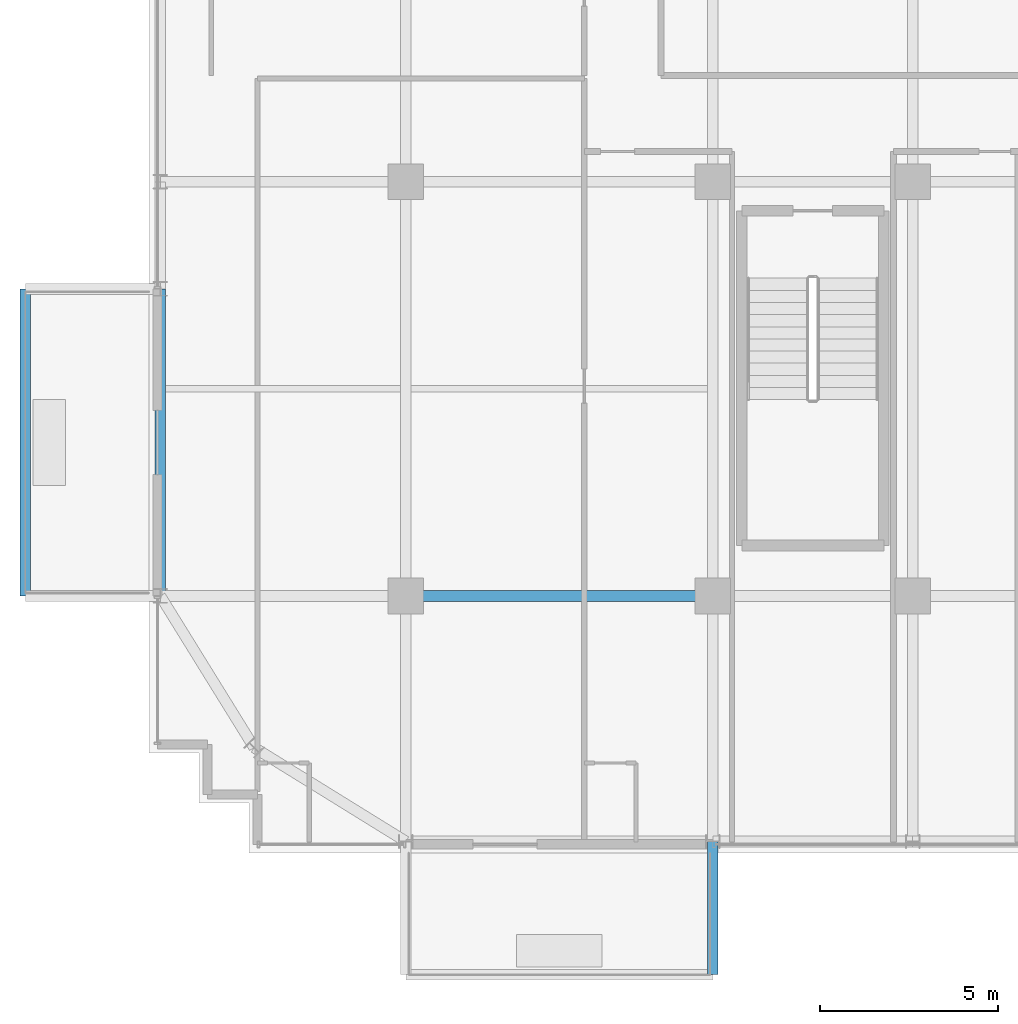
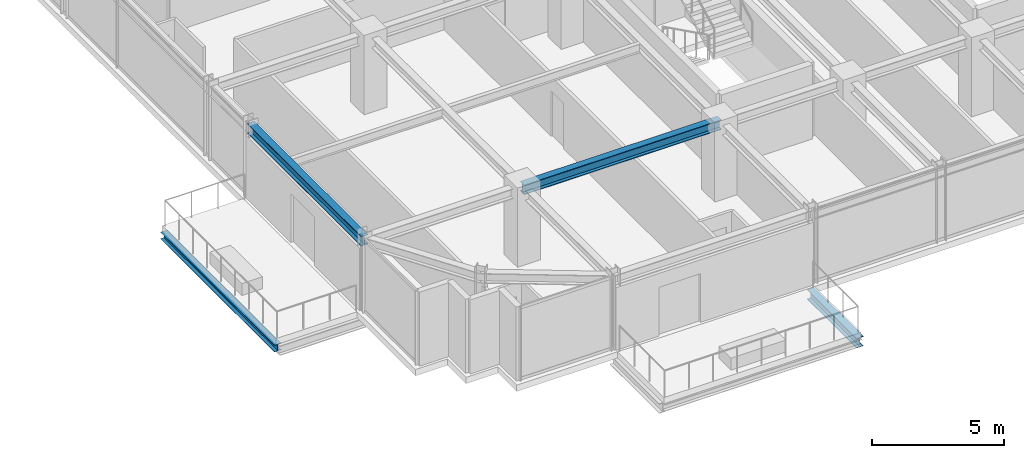
# One storey, part 6 of 35: 4 beams.
"""IFC4 building model written with IfcOpenShell, lengths in metres."""

from ifc_helpers import new_model, si_unit, direction, frame, origin, origin_2d, place, context, subcontext, project, spatial, i_section, extrude, source, transform, mapped, material, material_profile, profile_set, type_object, element, save


model = new_model("IFC4")

# Units and contexts
model_context = context("Model", 3, precision=1e-05, world=origin(), true_north=direction((0.0, 1.0)))
body_context = subcontext(model_context, "Body", "Model", "MODEL_VIEW")
ifc_project = project(units=[si_unit("LENGTHUNIT", "METRE"), si_unit("AREAUNIT", "SQUARE_METRE"), si_unit("VOLUMEUNIT", "CUBIC_METRE"), si_unit("PLANEANGLEUNIT", "RADIAN"), si_unit("MASSUNIT", "GRAM", prefix="KILO")], contexts=[model_context])

# Site, building, storey
site_placement = place(None, origin())
site = spatial("IfcSite", under=ifc_project, at=site_placement, CompositionType="ELEMENT")
building_placement = place(site_placement, origin())
building = spatial("IfcBuilding", under=site, at=building_placement, Name="Nahalor Promenade Grand Hotel", CompositionType="ELEMENT")
storey_placement = place(building_placement, frame((0.0, 0.0, 245.60009765625)))
storey = spatial("IfcBuildingStorey", under=building, at=storey_placement, Name="L63", CompositionType="ELEMENT", Elevation=245.60009765625)

# Beams
ifc_material = material(Name="Steel S355JR", Category="steel")
ifc_material_profile_1 = material_profile(ifc_material, i_section(OverallWidth=0.3, OverallDepth=0.32, WebThickness=0.0115, FlangeThickness=0.0205, at=origin_2d()), Name="HEB 320")
ifc_profile_set_1 = profile_set([ifc_material_profile_1], Name="Steel S355JR")
beam_type_1 = type_object("IfcBeamType", Name="Beam-BalcEdge-HEB320", PredefinedType="SPANDREL", material=ifc_profile_set_1)
shared_shape_1 = source(origin(), body_context, "Body", "SweptSolid", [
    extrude(i_section(OverallWidth=0.3, OverallDepth=0.32, WebThickness=0.0115, FlangeThickness=0.0205, at=origin_2d()), origin(), (0.0, 0.0, 1.0), 8.60009765625),
])
beam_1_placement = place(storey_placement, frame((-27.659912109375, -17.0, -0.440185546875), z_axis=(0.0, 1.0, 0.0), x_axis=(-1.0, 0.0, 0.0)))
element("IfcBeam", 1, at=beam_1_placement, inside=storey, type_object=beam_type_1, Name="BM-L63-BC-02-F", PredefinedType="SPANDREL", context=body_context, shape_type="MappedRepresentation", body=[
    mapped(shared_shape_1, transform((0.0, 0.0, 0.0), scale=1.0)),
])
ifc_material_profile_2 = material_profile(ifc_material, i_section(OverallWidth=0.3, OverallDepth=0.45, WebThickness=0.014, FlangeThickness=0.026, at=origin_2d()), Name="HEB 450")
ifc_profile_set_2 = profile_set([ifc_material_profile_2], Name="Steel S355JR")
beam_type_2 = type_object("IfcBeamType", Name="Beam-Outrigger-HEB450", PredefinedType="BEAM", material=ifc_profile_set_2)
shared_shape_2 = source(origin(), body_context, "Body", "SweptSolid", [
    extrude(i_section(OverallWidth=0.3, OverallDepth=0.45, WebThickness=0.014, FlangeThickness=0.026, at=origin_2d()), origin(), (0.0, 0.0, 1.0), 3.730224609375),
])
beam_2_placement = place(storey_placement, frame((-8.39990234375, -27.610107421875, -0.505126953125), z_axis=(0.0, 1.0, 0.0), x_axis=(-1.0, 0.0, 0.0)))
element("IfcBeam", 2, at=beam_2_placement, inside=storey, type_object=beam_type_2, Name="BM-L63-BC-01-2", PredefinedType="BEAM", context=body_context, shape_type="MappedRepresentation", body=[
    mapped(shared_shape_2, transform((0.0, 0.0, 0.0), scale=1.0)),
])
ifc_material_profile_3 = material_profile(ifc_material, i_section(OverallWidth=0.3, OverallDepth=0.45, WebThickness=0.014, FlangeThickness=0.026, at=origin_2d()), Name="HEB 450")
ifc_profile_set_3 = profile_set([ifc_material_profile_3], Name="Steel S355JR")
beam_type_3 = type_object("IfcBeamType", Name="Beam-Spandrel-HEB450", PredefinedType="SPANDREL", material=ifc_profile_set_3)
shared_shape_3 = source(origin(), body_context, "Body", "SweptSolid", [
    extrude(i_section(OverallWidth=0.3, OverallDepth=0.45, WebThickness=0.014, FlangeThickness=0.026, at=origin_2d()), origin(), (0.0, 0.0, 1.0), 8.60009765625),
])
beam_3_placement = place(storey_placement, frame((-23.8798828125, -17.0, 3.184814453125), z_axis=(0.0, 1.0, 0.0), x_axis=(-1.0, 0.0, 0.0)))
element("IfcBeam", 3, at=beam_3_placement, inside=storey, type_object=beam_type_3, Name="BM-L63-SP-W-0", PredefinedType="SPANDREL", context=body_context, shape_type="MappedRepresentation", body=[
    mapped(shared_shape_3, transform((0.0, 0.0, 0.0), scale=1.0)),
])
ifc_material_profile_4 = material_profile(ifc_material, i_section(OverallWidth=0.3, OverallDepth=0.45, WebThickness=0.014, FlangeThickness=0.026, at=origin_2d()), Name="HEB 450")
ifc_profile_set_4 = profile_set([ifc_material_profile_4], Name="Steel S355JR")
beam_type_4 = type_object("IfcBeamType", Name="Beam-Girder-HEB450", PredefinedType="BEAM", material=ifc_profile_set_4)
shared_shape_4 = source(origin(), body_context, "Body", "SweptSolid", [
    extrude(i_section(OverallWidth=0.3, OverallDepth=0.45, WebThickness=0.014, FlangeThickness=0.026, at=origin_2d()), origin(), (0.0, 0.0, 1.0), 8.60009765625),
])
beam_4_placement = place(storey_placement, frame((-17.0, -17.0, 3.184814453125), z_axis=(1.0, 0.0, 0.0), x_axis=(0.0, 1.0, 0.0)))
element("IfcBeam", 4, at=beam_4_placement, inside=storey, type_object=beam_type_4, Name="BM-L63-GX-0-1", PredefinedType="BEAM", context=body_context, shape_type="MappedRepresentation", body=[
    mapped(shared_shape_4, transform((0.0, 0.0, 0.0), scale=1.0)),
])

save(model, "model.ifc")
